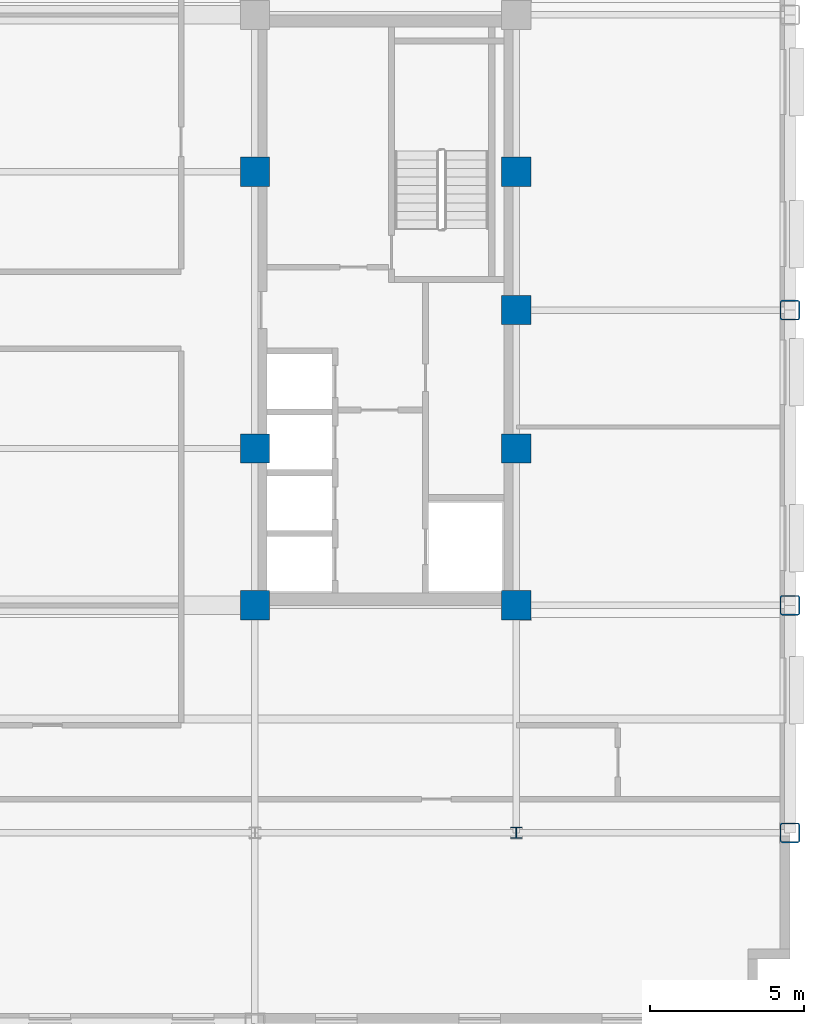
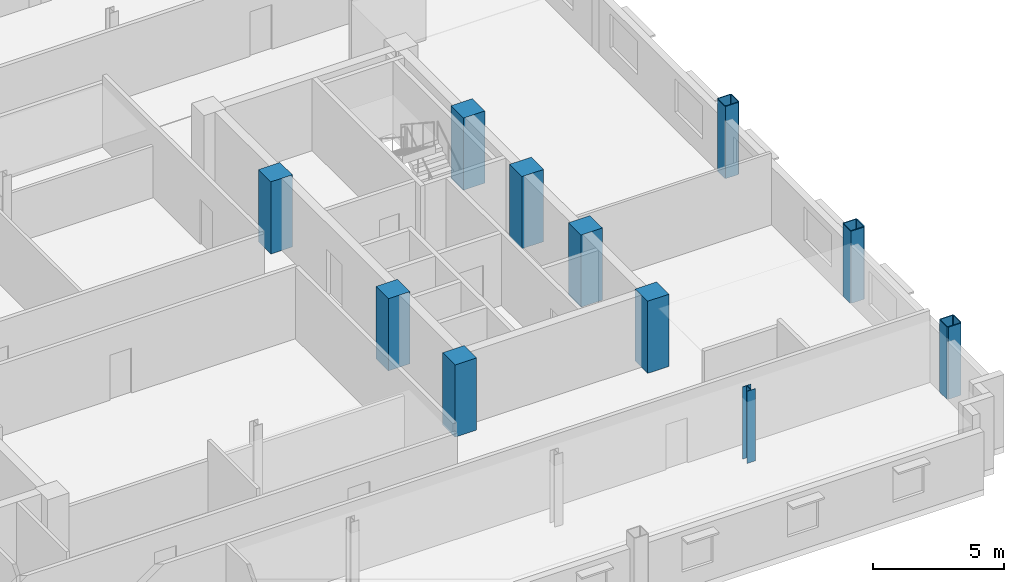
# One storey, part 2 of 14: 11 columns.
"""IFC4 building model written with IfcOpenShell, lengths in metres."""

from ifc_helpers import new_model, si_unit, direction, frame, origin, origin_2d, place, context, subcontext, project, spatial, rectangle, hollow_rectangle, i_section, extrude, material, material_profile, profile_set, type_object, element, save


model = new_model("IFC4")

# Units and contexts
model_context = context("Model", 3, precision=1e-05, world=origin(), true_north=direction((0.0, 1.0)))
body_context = subcontext(model_context, "Body", "Model", "MODEL_VIEW")
ifc_project = project(units=[si_unit("LENGTHUNIT", "METRE"), si_unit("AREAUNIT", "SQUARE_METRE"), si_unit("VOLUMEUNIT", "CUBIC_METRE"), si_unit("PLANEANGLEUNIT", "RADIAN"), si_unit("MASSUNIT", "GRAM", prefix="KILO")], contexts=[model_context])

# Site, building, storey
site_placement = place(None, origin())
site = spatial("IfcSite", under=ifc_project, at=site_placement, CompositionType="ELEMENT")
building_placement = place(site_placement, origin())
building = spatial("IfcBuilding", under=site, at=building_placement, Name="Nuvemarco Arch Tower", CompositionType="ELEMENT")
storey_placement = place(building_placement, frame((0.0, 0.0, 131.14990234375)))
storey = spatial("IfcBuildingStorey", under=building, at=storey_placement, Name="L34", CompositionType="ELEMENT", Elevation=131.14990234375)

# Columns
ifc_material_1 = material(Name="Concrete C50/60", Category="concrete")
ifc_material_profile_1 = material_profile(ifc_material_1, rectangle(XDim=0.949951171875, YDim=0.949951171875, at=origin_2d()), Name="RC-COL-950x950")
ifc_profile_set_1 = profile_set([ifc_material_profile_1], Name="Concrete C50/60")
column_type_1 = type_object("IfcColumnType", Name="COL-CORE-950", PredefinedType="COLUMN", material=ifc_profile_set_1)
for number, where, z_axis, x_axis, name in (
    (1, (9.0, -9.60009765625, 0.0), (0.0, 0.0, 1.0), (1.0, 0.0, 0.0), "L34 column CC_+9.0_-9.6"),
    (2, (9.0, -4.5, 0.0), (0.0, 0.0, 1.0), (1.0, 0.0, 0.0), "L34 column CC_+9.0_-4.5"),
    (3, (9.0, 4.5, 0.0), (0.0, 0.0, 1.0), (1.0, 0.0, 0.0), "L34 column CC_+9.0_+4.5"),
    (4, (17.5, -9.60009765625, 0.0), (0.0, 0.0, 1.0), (1.0, 0.0, 0.0), "L34 column CC_+17.5_-9.6"),
    (5, (17.5, -4.5, 0.0), (0.0, 0.0, 1.0), (1.0, 0.0, 0.0), "L34 column CC_+17.5_-4.5"),
    (6, (17.5, 4.5, 0.0), (0.0, 0.0, 1.0), (1.0, 0.0, 0.0), "L34 column CC_+17.5_+4.5"),
    (7, (17.5, 0.0, 0.0), (0.0, 0.0, 1.0), (1.0, 0.0, 0.0), "L34 column CC_+17.5_+0.0"),
):
    element("IfcColumn", number, at=place(storey_placement, frame(where, z_axis=z_axis, x_axis=x_axis)), inside=storey, type_object=column_type_1, Name=name, PredefinedType="COLUMN", context=body_context, shape_type="SweptSolid", body=[
        extrude(rectangle(XDim=0.949951171875, YDim=0.949951171875, at=origin_2d()), origin(), (0.0, 0.0, 1.0), 3.3701171875),
    ])
ifc_material_2 = material(Name="Steel S355", Category="steel")
ifc_material_profile_2 = material_profile(ifc_material_2, hollow_rectangle(XDim=0.64990234375, YDim=0.64990234375, WallThickness=0.0400390625, InnerFilletRadius=0.0400390625, OuterFilletRadius=0.080078125, at=origin_2d()), Name="SHS650x650x40")
ifc_profile_set_2 = profile_set([ifc_material_profile_2], Name="Steel S355")
column_type_2 = type_object("IfcColumnType", Name="COL-EXO-650", PredefinedType="COLUMN", material=ifc_profile_set_2)
for number, where, z_axis, x_axis, name in (
    (8, (26.39990234375, -17.0, 0.0), (0.0, 0.0, 1.0), (1.0, 0.0, 0.0), "L34 column CX_+26.4_-17.0"),
    (9, (26.39990234375, -9.60009765625, 0.0), (0.0, 0.0, 1.0), (1.0, 0.0, 0.0), "L34 column CX_+26.4_-9.6"),
    (10, (26.39990234375, 0.0, 0.0), (0.0, 0.0, 1.0), (1.0, 0.0, 0.0), "L34 column CX_+26.4_+0.0"),
):
    element("IfcColumn", number, at=place(storey_placement, frame(where, z_axis=z_axis, x_axis=x_axis)), inside=storey, type_object=column_type_2, Name=name, PredefinedType="COLUMN", context=body_context, shape_type="SweptSolid", body=[
        extrude(hollow_rectangle(XDim=0.64990234375, YDim=0.64990234375, WallThickness=0.0400390625, InnerFilletRadius=0.0400390625, OuterFilletRadius=0.080078125, at=origin_2d()), origin(), (0.0, 0.0, 1.0), 3.3701171875),
    ])
ifc_material_profile_3 = material_profile(ifc_material_2, i_section(OverallWidth=0.360107421875, OverallDepth=0.360107421875, WebThickness=0.0205078125, FlangeThickness=0.0205078125, FilletRadius=0.01806640625, at=origin_2d()), Name="HP360x174")
ifc_profile_set_3 = profile_set([ifc_material_profile_3], Name="Steel S355")
column_type_3 = type_object("IfcColumnType", Name="COL-STL-HP360", PredefinedType="COLUMN", material=ifc_profile_set_3)
column_placement = place(storey_placement, frame((17.5, -17.0, 0.0), z_axis=(0.0, 0.0, 1.0), x_axis=(1.0, 0.0, 0.0)))
element("IfcColumn", 11, at=column_placement, inside=storey, type_object=column_type_3, Name="L34 column CI_+17.5_-17.0", PredefinedType="COLUMN", context=body_context, shape_type="SweptSolid", body=[
    extrude(i_section(OverallWidth=0.360107421875, OverallDepth=0.360107421875, WebThickness=0.0205078125, FlangeThickness=0.0205078125, FilletRadius=0.01806640625, at=origin_2d()), origin(), (0.0, 0.0, 1.0), 3.3701171875),
])

save(model, "model.ifc")
